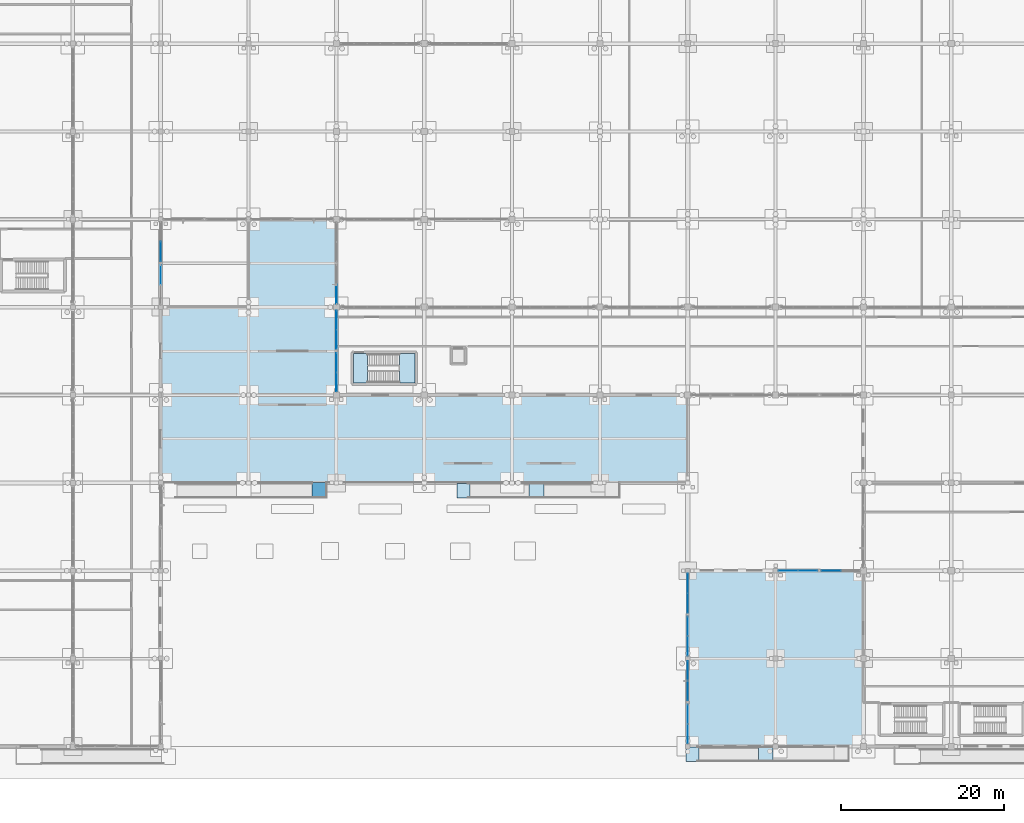
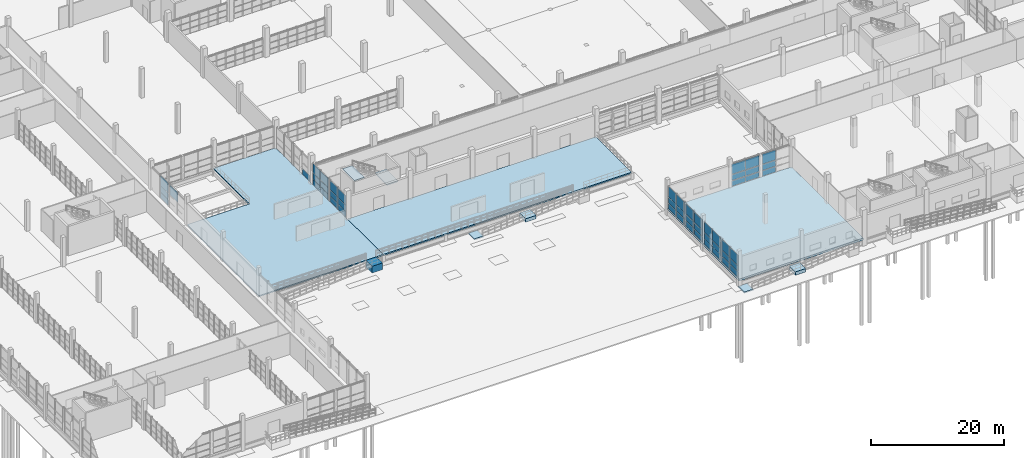
# One storey, part 84 of 138: 50 plates, 10 slabs, 15 elements without a shape of their own.
"""IFC4 building model written with IfcOpenShell, lengths in metres."""

from ifc_helpers import new_model, si_unit, direction, frame, origin, origin_2d, place, context, subcontext, project, spatial, polyline, rectangle, outline, extrude, material, layer, layer_set, type_object, element, aggregate, save


model = new_model("IFC4")

# Units and contexts
model_context = context("Model", 3, precision=1e-05, world=origin(), true_north=direction((0.0, 1.0)))
body_context = subcontext(model_context, "Body", "Model", "MODEL_VIEW")
ifc_project = project(units=[si_unit("LENGTHUNIT", "METRE"), si_unit("AREAUNIT", "SQUARE_METRE"), si_unit("VOLUMEUNIT", "CUBIC_METRE"), si_unit("PLANEANGLEUNIT", "RADIAN"), si_unit("MASSUNIT", "GRAM", prefix="KILO")], contexts=[model_context])

# Site, building, storey
site_placement = place(None, origin())
site = spatial("IfcSite", under=ifc_project, at=site_placement, CompositionType="ELEMENT")
building_placement = place(site_placement, origin())
building = spatial("IfcBuilding", under=site, at=building_placement, Name="Zwinboog Wholesale Market", CompositionType="ELEMENT")
storey_placement = place(building_placement, origin())
storey = spatial("IfcBuildingStorey", under=building, at=storey_placement, Name="L00", CompositionType="ELEMENT", Elevation=0.0)

# Slabs
ifc_material_1 = material(Name="Precast concrete C45/55", Category="concrete")
ifc_layer_1 = layer(ifc_material_1, 0.3798828125)
ifc_layer_set_1 = layer_set([ifc_layer_1], Name="Precast concrete C45/55")
slab_type_1 = type_object("IfcSlabType", Name="SLT-BS-380", PredefinedType="BASESLAB", material=ifc_layer_set_1)
slab_1_placement = place(storey_placement, frame((0.0, 0.0, -0.3798828125)))
element("IfcSlab", 1, at=slab_1_placement, inside=storey, type_object=slab_type_1, Name="SB-380 (SLB-L00-024)", PredefinedType="BASESLAB", context=body_context, shape_type="SweptSolid", body=[
    extrude(outline(polyline([(108.0, 0.0), (129.60009765625, 0.0), (129.60009765625, 21.60009765625), (108.0, 21.60009765625), (108.0, 0.0)])), origin(), (0.0, 0.0, 1.0), 0.3798828125),
])
ifc_material_2 = material(Name="Concrete C40/50", Category="concrete")
ifc_layer_2 = layer(ifc_material_2, 0.22998046875)
ifc_layer_set_2 = layer_set([ifc_layer_2], Name="Concrete C40/50")
slab_type_2 = type_object("IfcSlabType", Name="SLT-EX-230", PredefinedType="FLOOR", material=ifc_layer_set_2)
slab_2_placement = place(storey_placement, frame((0.0, 0.0, -0.22998046875)))
element("IfcSlab", 2, at=slab_2_placement, inside=storey, type_object=slab_type_2, Name="South Park Promenade Deck West", PredefinedType="FLOOR", context=body_context, shape_type="SweptSolid", body=[
    extrude(outline(polyline([(43.199951171875, 32.39990234375), (64.800048828125, 32.39990234375), (64.800048828125, 64.800048828125), (54.0, 64.800048828125), (54.0, 54.0), (43.199951171875, 54.0), (43.199951171875, 32.39990234375)])), origin(), (0.0, 0.0, 1.0), 0.22998046875),
])
ifc_layer_3 = layer(ifc_material_2, 0.241943359375)
ifc_layer_set_3 = layer_set([ifc_layer_3], Name="Concrete C40/50")
slab_type_3 = type_object("IfcSlabType", Name="SLT-EX-242", PredefinedType="FLOOR", material=ifc_layer_set_3)
slab_3_placement = place(storey_placement, frame((0.0, 0.0, -0.241943359375)))
element("IfcSlab", 3, at=slab_3_placement, inside=storey, type_object=slab_type_3, Name="South Park Promenade Deck South", PredefinedType="FLOOR", context=body_context, shape_type="SweptSolid", body=[
    extrude(outline(polyline([(64.800048828125, 32.39990234375), (108.0, 32.39990234375), (108.0, 43.199951171875), (64.800048828125, 43.199951171875), (64.800048828125, 32.39990234375)])), origin(), (0.0, 0.0, 1.0), 0.241943359375),
])

# Curtain wall, plate
ifc_material_3 = material(Name="Aluminium thermally broken curtain wall", Category="aluminium")
curtain_wall_type_1 = type_object("IfcCurtainWallType", Name="CWT-STALL-18", PredefinedType="USERDEFINED", material=ifc_material_3)
curtain_wall_1_placement = place(storey_placement, origin())
curtain_wall_1 = element("IfcCurtainWall", 4, at=curtain_wall_1_placement, inside=storey, type_object=curtain_wall_type_1, Name="CW-01 (CW-L00-025)", ObjectType="STOREFRONT_GLAZING", PredefinedType="USERDEFINED")
ifc_material_4 = material(Name="Double low-e insulated glazing", Category="glass")
ifc_layer_4 = layer(ifc_material_4, 0.031982421875)
ifc_layer_set_4 = layer_set([ifc_layer_4], Name="Double low-e insulated glazing")
plate_type_1 = type_object("IfcPlateType", Name="CWP-IGU-32", PredefinedType="CURTAIN_PANEL", material=ifc_layer_set_4)
plate_1_placement = place(storey_placement, frame((43.199951171875, 57.95751953125, 2.282470703125), z_axis=(0.0, 0.0, 1.0), x_axis=(0.0, 1.0, 0.0)))
plate_1 = element("IfcPlate", 5, at=plate_1_placement, type_object=plate_type_1, Name="CW-01 panel 2.3", PredefinedType="CURTAIN_PANEL", context=body_context, shape_type="SweptSolid", body=[
    extrude(rectangle(XDim=2.35498046875, YDim=0.031982421875, at=origin_2d()), origin(), (0.0, 0.0, 1.0), 1.8505859375),
])
aggregate(curtain_wall_1, [plate_1])

# Curtain wall, plates
curtain_wall_type_2 = type_object("IfcCurtainWallType", Name="CWT-STALL-20", PredefinedType="USERDEFINED", material=ifc_material_3)
curtain_wall_2_placement = place(storey_placement, origin())
curtain_wall_2 = element("IfcCurtainWall", 6, at=curtain_wall_2_placement, inside=storey, type_object=curtain_wall_type_2, Name="CW-02 (CW-L00-026)", ObjectType="STOREFRONT_GLAZING", PredefinedType="USERDEFINED")
plate_2_placement = place(storey_placement, frame((43.199951171875, 60.84130859375, 0.06005859375), z_axis=(0.0, 0.0, 1.0), x_axis=(0.0, 1.0, 0.0)))
plate_2 = element("IfcPlate", 7, at=plate_2_placement, type_object=plate_type_1, Name="CW-02 panel 1.1", PredefinedType="CURTAIN_PANEL", context=body_context, shape_type="SweptSolid", body=[
    extrude(rectangle(XDim=2.362548828125, YDim=0.031982421875, at=origin_2d()), origin(), (0.0, 0.0, 1.0), 1.010009765625),
])
plate_3_placement = place(storey_placement, frame((43.199951171875, 60.84130859375, 1.1298828125), z_axis=(0.0, 0.0, 1.0), x_axis=(0.0, 1.0, 0.0)))
plate_3 = element("IfcPlate", 8, at=plate_3_placement, type_object=plate_type_1, Name="CW-02 panel 1.2", PredefinedType="CURTAIN_PANEL", context=body_context, shape_type="SweptSolid", body=[
    extrude(rectangle(XDim=2.362548828125, YDim=0.031982421875, at=origin_2d()), origin(), (0.0, 0.0, 1.0), 1.090087890625),
])
plate_4_placement = place(storey_placement, frame((43.199951171875, 60.84130859375, 2.280029296875), z_axis=(0.0, 0.0, 1.0), x_axis=(0.0, 1.0, 0.0)))
plate_4 = element("IfcPlate", 9, at=plate_4_placement, type_object=plate_type_1, Name="CW-02 panel 1.3", PredefinedType="CURTAIN_PANEL", context=body_context, shape_type="SweptSolid", body=[
    extrude(rectangle(XDim=2.362548828125, YDim=0.031982421875, at=origin_2d()), origin(), (0.0, 0.0, 1.0), 1.85791015625),
])
aggregate(curtain_wall_2, [plate_2, plate_3, plate_4])

curtain_wall_type_3 = type_object("IfcCurtainWallType", Name="CWT-CAFE-22", PredefinedType="USERDEFINED", material=ifc_material_3)
curtain_wall_3_placement = place(storey_placement, origin())
curtain_wall_3 = element("IfcCurtainWall", 10, at=curtain_wall_3_placement, inside=storey, type_object=curtain_wall_type_3, Name="CW-05 (CW-L00-035)", ObjectType="STOREFRONT_GLAZING", PredefinedType="USERDEFINED")
plate_5_placement = place(storey_placement, frame((108.0, 1.53759765625, 0.06494140625), z_axis=(0.0, 0.0, 1.0), x_axis=(0.0, 1.0, 0.0)))
plate_5 = element("IfcPlate", 11, at=plate_5_placement, type_object=plate_type_1, Name="CW-05 panel 1.1", PredefinedType="CURTAIN_PANEL", context=body_context, shape_type="SweptSolid", body=[
    extrude(rectangle(XDim=2.35498046875, YDim=0.031982421875, at=origin_2d()), origin(), (0.0, 0.0, 1.0), 1.00244140625),
])
plate_6_placement = place(storey_placement, frame((108.0, 1.53759765625, 1.132568359375), z_axis=(0.0, 0.0, 1.0), x_axis=(0.0, 1.0, 0.0)))
plate_6 = element("IfcPlate", 12, at=plate_6_placement, type_object=plate_type_1, Name="CW-05 panel 1.2", PredefinedType="CURTAIN_PANEL", context=body_context, shape_type="SweptSolid", body=[
    extrude(rectangle(XDim=2.35498046875, YDim=0.031982421875, at=origin_2d()), origin(), (0.0, 0.0, 1.0), 1.0849609375),
])
plate_7_placement = place(storey_placement, frame((108.0, 1.53759765625, 2.2822265625), z_axis=(0.0, 0.0, 1.0), x_axis=(0.0, 1.0, 0.0)))
plate_7 = element("IfcPlate", 13, at=plate_7_placement, type_object=plate_type_1, Name="CW-05 panel 1.3", PredefinedType="CURTAIN_PANEL", context=body_context, shape_type="SweptSolid", body=[
    extrude(rectangle(XDim=2.35498046875, YDim=0.031982421875, at=origin_2d()), origin(), (0.0, 0.0, 1.0), 1.902587890625),
])
plate_8_placement = place(storey_placement, frame((108.0, 3.95751953125, 0.06494140625), z_axis=(0.0, 0.0, 1.0), x_axis=(0.0, 1.0, 0.0)))
plate_8 = element("IfcPlate", 14, at=plate_8_placement, type_object=plate_type_1, Name="CW-05 panel 2.1", PredefinedType="CURTAIN_PANEL", context=body_context, shape_type="SweptSolid", body=[
    extrude(rectangle(XDim=2.35498046875, YDim=0.031982421875, at=origin_2d()), origin(), (0.0, 0.0, 1.0), 1.00244140625),
])
plate_9_placement = place(storey_placement, frame((108.0, 3.95751953125, 1.132568359375), z_axis=(0.0, 0.0, 1.0), x_axis=(0.0, 1.0, 0.0)))
plate_9 = element("IfcPlate", 15, at=plate_9_placement, type_object=plate_type_1, Name="CW-05 panel 2.2", PredefinedType="CURTAIN_PANEL", context=body_context, shape_type="SweptSolid", body=[
    extrude(rectangle(XDim=2.35498046875, YDim=0.031982421875, at=origin_2d()), origin(), (0.0, 0.0, 1.0), 1.0849609375),
])
plate_10_placement = place(storey_placement, frame((108.0, 3.95751953125, 2.2822265625), z_axis=(0.0, 0.0, 1.0), x_axis=(0.0, 1.0, 0.0)))
plate_10 = element("IfcPlate", 16, at=plate_10_placement, type_object=plate_type_1, Name="CW-05 panel 2.3", PredefinedType="CURTAIN_PANEL", context=body_context, shape_type="SweptSolid", body=[
    extrude(rectangle(XDim=2.35498046875, YDim=0.031982421875, at=origin_2d()), origin(), (0.0, 0.0, 1.0), 1.902587890625),
])
aggregate(curtain_wall_3, [plate_5, plate_6, plate_7, plate_8, plate_9, plate_10])

curtain_wall_type_4 = type_object("IfcCurtainWallType", Name="CWT-OFF-15", PredefinedType="USERDEFINED", material=ifc_material_3)
curtain_wall_4_placement = place(storey_placement, origin())
curtain_wall_4 = element("IfcCurtainWall", 17, at=curtain_wall_4_placement, inside=storey, type_object=curtain_wall_type_4, Name="CW-06 (CW-L00-036)", ObjectType="UNITIZED_CURTAIN_WALL", PredefinedType="USERDEFINED")
plate_11_placement = place(storey_placement, frame((108.0, 6.84130859375, 0.06005859375), z_axis=(0.0, 0.0, 1.0), x_axis=(0.0, 1.0, 0.0)))
plate_11 = element("IfcPlate", 18, at=plate_11_placement, type_object=plate_type_1, Name="CW-06 panel 1.1", PredefinedType="CURTAIN_PANEL", context=body_context, shape_type="SweptSolid", body=[
    extrude(rectangle(XDim=2.362548828125, YDim=0.031982421875, at=origin_2d()), origin(), (0.0, 0.0, 1.0), 1.010009765625),
])
plate_12_placement = place(storey_placement, frame((108.0, 6.84130859375, 1.1298828125), z_axis=(0.0, 0.0, 1.0), x_axis=(0.0, 1.0, 0.0)))
plate_12 = element("IfcPlate", 19, at=plate_12_placement, type_object=plate_type_1, Name="CW-06 panel 1.2", PredefinedType="CURTAIN_PANEL", context=body_context, shape_type="SweptSolid", body=[
    extrude(rectangle(XDim=2.362548828125, YDim=0.031982421875, at=origin_2d()), origin(), (0.0, 0.0, 1.0), 1.090087890625),
])
plate_13_placement = place(storey_placement, frame((108.0, 6.84130859375, 2.2802734375), z_axis=(0.0, 0.0, 1.0), x_axis=(0.0, 1.0, 0.0)))
plate_13 = element("IfcPlate", 20, at=plate_13_placement, type_object=plate_type_1, Name="CW-06 panel 1.3", PredefinedType="CURTAIN_PANEL", context=body_context, shape_type="SweptSolid", body=[
    extrude(rectangle(XDim=2.362548828125, YDim=0.031982421875, at=origin_2d()), origin(), (0.0, 0.0, 1.0), 1.909912109375),
])
plate_14_placement = place(storey_placement, frame((108.0, 9.263671875, 0.06005859375), z_axis=(0.0, 0.0, 1.0), x_axis=(0.0, 1.0, 0.0)))
plate_14 = element("IfcPlate", 21, at=plate_14_placement, type_object=plate_type_1, Name="CW-06 panel 2.1", PredefinedType="CURTAIN_PANEL", context=body_context, shape_type="SweptSolid", body=[
    extrude(rectangle(XDim=2.362548828125, YDim=0.031982421875, at=origin_2d()), origin(), (0.0, 0.0, 1.0), 1.010009765625),
])
plate_15_placement = place(storey_placement, frame((108.0, 9.263671875, 1.1298828125), z_axis=(0.0, 0.0, 1.0), x_axis=(0.0, 1.0, 0.0)))
plate_15 = element("IfcPlate", 22, at=plate_15_placement, type_object=plate_type_1, Name="CW-06 panel 2.2", PredefinedType="CURTAIN_PANEL", context=body_context, shape_type="SweptSolid", body=[
    extrude(rectangle(XDim=2.362548828125, YDim=0.031982421875, at=origin_2d()), origin(), (0.0, 0.0, 1.0), 1.090087890625),
])
plate_16_placement = place(storey_placement, frame((108.0, 9.263671875, 2.2802734375), z_axis=(0.0, 0.0, 1.0), x_axis=(0.0, 1.0, 0.0)))
plate_16 = element("IfcPlate", 23, at=plate_16_placement, type_object=plate_type_1, Name="CW-06 panel 2.3", PredefinedType="CURTAIN_PANEL", context=body_context, shape_type="SweptSolid", body=[
    extrude(rectangle(XDim=2.362548828125, YDim=0.031982421875, at=origin_2d()), origin(), (0.0, 0.0, 1.0), 1.909912109375),
])
aggregate(curtain_wall_4, [plate_11, plate_12, plate_13, plate_14, plate_15, plate_16])

curtain_wall_5_placement = place(storey_placement, origin())
curtain_wall_5 = element("IfcCurtainWall", 24, at=curtain_wall_5_placement, inside=storey, type_object=curtain_wall_type_1, Name="CW-01 (CW-L00-037)", ObjectType="STOREFRONT_GLAZING", PredefinedType="USERDEFINED")
plate_17_placement = place(storey_placement, frame((108.0, 12.33740234375, 0.06494140625), z_axis=(0.0, 0.0, 1.0), x_axis=(0.0, 1.0, 0.0)))
plate_17 = element("IfcPlate", 25, at=plate_17_placement, type_object=plate_type_1, Name="CW-01 panel 1.1", PredefinedType="CURTAIN_PANEL", context=body_context, shape_type="SweptSolid", body=[
    extrude(rectangle(XDim=2.35498046875, YDim=0.031982421875, at=origin_2d()), origin(), (0.0, 0.0, 1.0), 1.00244140625),
])
plate_18_placement = place(storey_placement, frame((108.0, 12.33740234375, 1.132568359375), z_axis=(0.0, 0.0, 1.0), x_axis=(0.0, 1.0, 0.0)))
plate_18 = element("IfcPlate", 26, at=plate_18_placement, type_object=plate_type_1, Name="CW-01 panel 1.2", PredefinedType="CURTAIN_PANEL", context=body_context, shape_type="SweptSolid", body=[
    extrude(rectangle(XDim=2.35498046875, YDim=0.031982421875, at=origin_2d()), origin(), (0.0, 0.0, 1.0), 1.0849609375),
])
plate_19_placement = place(storey_placement, frame((108.0, 12.33740234375, 2.2822265625), z_axis=(0.0, 0.0, 1.0), x_axis=(0.0, 1.0, 0.0)))
plate_19 = element("IfcPlate", 27, at=plate_19_placement, type_object=plate_type_1, Name="CW-01 panel 1.3", PredefinedType="CURTAIN_PANEL", context=body_context, shape_type="SweptSolid", body=[
    extrude(rectangle(XDim=2.35498046875, YDim=0.031982421875, at=origin_2d()), origin(), (0.0, 0.0, 1.0), 1.902587890625),
])
plate_20_placement = place(storey_placement, frame((108.0, 14.757568359375, 0.06494140625), z_axis=(0.0, 0.0, 1.0), x_axis=(0.0, 1.0, 0.0)))
plate_20 = element("IfcPlate", 28, at=plate_20_placement, type_object=plate_type_1, Name="CW-01 panel 2.1", PredefinedType="CURTAIN_PANEL", context=body_context, shape_type="SweptSolid", body=[
    extrude(rectangle(XDim=2.35498046875, YDim=0.031982421875, at=origin_2d()), origin(), (0.0, 0.0, 1.0), 1.00244140625),
])
plate_21_placement = place(storey_placement, frame((108.0, 14.757568359375, 1.132568359375), z_axis=(0.0, 0.0, 1.0), x_axis=(0.0, 1.0, 0.0)))
plate_21 = element("IfcPlate", 29, at=plate_21_placement, type_object=plate_type_1, Name="CW-01 panel 2.2", PredefinedType="CURTAIN_PANEL", context=body_context, shape_type="SweptSolid", body=[
    extrude(rectangle(XDim=2.35498046875, YDim=0.031982421875, at=origin_2d()), origin(), (0.0, 0.0, 1.0), 1.0849609375),
])
plate_22_placement = place(storey_placement, frame((108.0, 14.757568359375, 2.2822265625), z_axis=(0.0, 0.0, 1.0), x_axis=(0.0, 1.0, 0.0)))
plate_22 = element("IfcPlate", 30, at=plate_22_placement, type_object=plate_type_1, Name="CW-01 panel 2.3", PredefinedType="CURTAIN_PANEL", context=body_context, shape_type="SweptSolid", body=[
    extrude(rectangle(XDim=2.35498046875, YDim=0.031982421875, at=origin_2d()), origin(), (0.0, 0.0, 1.0), 1.902587890625),
])
aggregate(curtain_wall_5, [plate_17, plate_18, plate_19, plate_20, plate_21, plate_22])

curtain_wall_6_placement = place(storey_placement, origin())
curtain_wall_6 = element("IfcCurtainWall", 31, at=curtain_wall_6_placement, inside=storey, type_object=curtain_wall_type_2, Name="CW-02 (CW-L00-038)", ObjectType="STOREFRONT_GLAZING", PredefinedType="USERDEFINED")
plate_23_placement = place(storey_placement, frame((108.0, 17.641357421875, 0.06005859375), z_axis=(0.0, 0.0, 1.0), x_axis=(0.0, 1.0, 0.0)))
plate_23 = element("IfcPlate", 32, at=plate_23_placement, type_object=plate_type_1, Name="CW-02 panel 1.1", PredefinedType="CURTAIN_PANEL", context=body_context, shape_type="SweptSolid", body=[
    extrude(rectangle(XDim=2.362548828125, YDim=0.031982421875, at=origin_2d()), origin(), (0.0, 0.0, 1.0), 1.010009765625),
])
plate_24_placement = place(storey_placement, frame((108.0, 17.641357421875, 1.1298828125), z_axis=(0.0, 0.0, 1.0), x_axis=(0.0, 1.0, 0.0)))
plate_24 = element("IfcPlate", 33, at=plate_24_placement, type_object=plate_type_1, Name="CW-02 panel 1.2", PredefinedType="CURTAIN_PANEL", context=body_context, shape_type="SweptSolid", body=[
    extrude(rectangle(XDim=2.362548828125, YDim=0.031982421875, at=origin_2d()), origin(), (0.0, 0.0, 1.0), 1.090087890625),
])
plate_25_placement = place(storey_placement, frame((108.0, 17.641357421875, 2.2802734375), z_axis=(0.0, 0.0, 1.0), x_axis=(0.0, 1.0, 0.0)))
plate_25 = element("IfcPlate", 34, at=plate_25_placement, type_object=plate_type_1, Name="CW-02 panel 1.3", PredefinedType="CURTAIN_PANEL", context=body_context, shape_type="SweptSolid", body=[
    extrude(rectangle(XDim=2.362548828125, YDim=0.031982421875, at=origin_2d()), origin(), (0.0, 0.0, 1.0), 1.909912109375),
])
plate_26_placement = place(storey_placement, frame((108.0, 20.063720703125, 0.06005859375), z_axis=(0.0, 0.0, 1.0), x_axis=(0.0, 1.0, 0.0)))
plate_26 = element("IfcPlate", 35, at=plate_26_placement, type_object=plate_type_1, Name="CW-02 panel 2.1", PredefinedType="CURTAIN_PANEL", context=body_context, shape_type="SweptSolid", body=[
    extrude(rectangle(XDim=2.362548828125, YDim=0.031982421875, at=origin_2d()), origin(), (0.0, 0.0, 1.0), 1.010009765625),
])
plate_27_placement = place(storey_placement, frame((108.0, 20.063720703125, 1.1298828125), z_axis=(0.0, 0.0, 1.0), x_axis=(0.0, 1.0, 0.0)))
plate_27 = element("IfcPlate", 36, at=plate_27_placement, type_object=plate_type_1, Name="CW-02 panel 2.2", PredefinedType="CURTAIN_PANEL", context=body_context, shape_type="SweptSolid", body=[
    extrude(rectangle(XDim=2.362548828125, YDim=0.031982421875, at=origin_2d()), origin(), (0.0, 0.0, 1.0), 1.090087890625),
])
plate_28_placement = place(storey_placement, frame((108.0, 20.063720703125, 2.2802734375), z_axis=(0.0, 0.0, 1.0), x_axis=(0.0, 1.0, 0.0)))
plate_28 = element("IfcPlate", 37, at=plate_28_placement, type_object=plate_type_1, Name="CW-02 panel 2.3", PredefinedType="CURTAIN_PANEL", context=body_context, shape_type="SweptSolid", body=[
    extrude(rectangle(XDim=2.362548828125, YDim=0.031982421875, at=origin_2d()), origin(), (0.0, 0.0, 1.0), 1.909912109375),
])
aggregate(curtain_wall_6, [plate_23, plate_24, plate_25, plate_26, plate_27, plate_28])

curtain_wall_7_placement = place(storey_placement, origin())
curtain_wall_7 = element("IfcCurtainWall", 38, at=curtain_wall_7_placement, inside=storey, type_object=curtain_wall_type_3, Name="CW-05 (CW-L00-041)", ObjectType="STOREFRONT_GLAZING", PredefinedType="USERDEFINED")
plate_29_placement = place(storey_placement, frame((120.33740234375, 21.60009765625, 0.06494140625), z_axis=(0.0, 0.0, 1.0), x_axis=(1.0, 0.0, 0.0)))
plate_29 = element("IfcPlate", 39, at=plate_29_placement, type_object=plate_type_1, Name="CW-05 panel 1.1", PredefinedType="CURTAIN_PANEL", context=body_context, shape_type="SweptSolid", body=[
    extrude(rectangle(XDim=2.35498046875, YDim=0.031982421875, at=origin_2d()), origin(), (0.0, 0.0, 1.0), 1.00244140625),
])
plate_30_placement = place(storey_placement, frame((120.33740234375, 21.60009765625, 1.132568359375), z_axis=(0.0, 0.0, 1.0), x_axis=(1.0, 0.0, 0.0)))
plate_30 = element("IfcPlate", 40, at=plate_30_placement, type_object=plate_type_1, Name="CW-05 panel 1.2", PredefinedType="CURTAIN_PANEL", context=body_context, shape_type="SweptSolid", body=[
    extrude(rectangle(XDim=2.35498046875, YDim=0.031982421875, at=origin_2d()), origin(), (0.0, 0.0, 1.0), 1.0849609375),
])
plate_31_placement = place(storey_placement, frame((120.33740234375, 21.60009765625, 2.282470703125), z_axis=(0.0, 0.0, 1.0), x_axis=(1.0, 0.0, 0.0)))
plate_31 = element("IfcPlate", 41, at=plate_31_placement, type_object=plate_type_1, Name="CW-05 panel 1.3", PredefinedType="CURTAIN_PANEL", context=body_context, shape_type="SweptSolid", body=[
    extrude(rectangle(XDim=2.35498046875, YDim=0.031982421875, at=origin_2d()), origin(), (0.0, 0.0, 1.0), 1.8505859375),
])
plate_32_placement = place(storey_placement, frame((122.757568359375, 21.60009765625, 0.06494140625), z_axis=(0.0, 0.0, 1.0), x_axis=(1.0, 0.0, 0.0)))
plate_32 = element("IfcPlate", 42, at=plate_32_placement, type_object=plate_type_1, Name="CW-05 panel 2.1", PredefinedType="CURTAIN_PANEL", context=body_context, shape_type="SweptSolid", body=[
    extrude(rectangle(XDim=2.35498046875, YDim=0.031982421875, at=origin_2d()), origin(), (0.0, 0.0, 1.0), 1.00244140625),
])
plate_33_placement = place(storey_placement, frame((122.757568359375, 21.60009765625, 1.132568359375), z_axis=(0.0, 0.0, 1.0), x_axis=(1.0, 0.0, 0.0)))
plate_33 = element("IfcPlate", 43, at=plate_33_placement, type_object=plate_type_1, Name="CW-05 panel 2.2", PredefinedType="CURTAIN_PANEL", context=body_context, shape_type="SweptSolid", body=[
    extrude(rectangle(XDim=2.35498046875, YDim=0.031982421875, at=origin_2d()), origin(), (0.0, 0.0, 1.0), 1.0849609375),
])
plate_34_placement = place(storey_placement, frame((122.757568359375, 21.60009765625, 2.282470703125), z_axis=(0.0, 0.0, 1.0), x_axis=(1.0, 0.0, 0.0)))
plate_34 = element("IfcPlate", 44, at=plate_34_placement, type_object=plate_type_1, Name="CW-05 panel 2.3", PredefinedType="CURTAIN_PANEL", context=body_context, shape_type="SweptSolid", body=[
    extrude(rectangle(XDim=2.35498046875, YDim=0.031982421875, at=origin_2d()), origin(), (0.0, 0.0, 1.0), 1.8505859375),
])
aggregate(curtain_wall_7, [plate_29, plate_30, plate_31, plate_32, plate_33, plate_34])

curtain_wall_8_placement = place(storey_placement, origin())
curtain_wall_8 = element("IfcCurtainWall", 45, at=curtain_wall_8_placement, inside=storey, type_object=curtain_wall_type_4, Name="CW-06 (CW-L00-042)", ObjectType="UNITIZED_CURTAIN_WALL", PredefinedType="USERDEFINED")
plate_35_placement = place(storey_placement, frame((125.62255859375, 21.60009765625, 0.06005859375), z_axis=(0.0, 0.0, 1.0), x_axis=(1.0, 0.0, 0.0)))
plate_35 = element("IfcPlate", 46, at=plate_35_placement, type_object=plate_type_1, Name="CW-06 panel 1.1", PredefinedType="CURTAIN_PANEL", context=body_context, shape_type="SweptSolid", body=[
    extrude(rectangle(XDim=2.324951171875, YDim=0.031982421875, at=origin_2d()), origin(), (0.0, 0.0, 1.0), 1.010009765625),
])
plate_36_placement = place(storey_placement, frame((125.62255859375, 21.60009765625, 1.1298828125), z_axis=(0.0, 0.0, 1.0), x_axis=(1.0, 0.0, 0.0)))
plate_36 = element("IfcPlate", 47, at=plate_36_placement, type_object=plate_type_1, Name="CW-06 panel 1.2", PredefinedType="CURTAIN_PANEL", context=body_context, shape_type="SweptSolid", body=[
    extrude(rectangle(XDim=2.324951171875, YDim=0.031982421875, at=origin_2d()), origin(), (0.0, 0.0, 1.0), 1.090087890625),
])
plate_37_placement = place(storey_placement, frame((125.62255859375, 21.60009765625, 2.280029296875), z_axis=(0.0, 0.0, 1.0), x_axis=(1.0, 0.0, 0.0)))
plate_37 = element("IfcPlate", 48, at=plate_37_placement, type_object=plate_type_1, Name="CW-06 panel 1.3", PredefinedType="CURTAIN_PANEL", context=body_context, shape_type="SweptSolid", body=[
    extrude(rectangle(XDim=2.324951171875, YDim=0.031982421875, at=origin_2d()), origin(), (0.0, 0.0, 1.0), 1.85791015625),
])
aggregate(curtain_wall_8, [plate_35, plate_36, plate_37])

curtain_wall_9_placement = place(storey_placement, origin())
curtain_wall_9 = element("IfcCurtainWall", 49, at=curtain_wall_9_placement, inside=storey, type_object=curtain_wall_type_1, Name="CW-01 (CW-L00-031)", ObjectType="STOREFRONT_GLAZING", PredefinedType="USERDEFINED")
ifc_material_5 = material(Name="Triple solar-control insulated glazing", Category="glass")
ifc_layer_5 = layer(ifc_material_5, 0.0380859375)
ifc_layer_set_5 = layer_set([ifc_layer_5], Name="Triple solar-control insulated glazing")
plate_type_2 = type_object("IfcPlateType", Name="CWP-IGU-38", PredefinedType="CURTAIN_PANEL", material=ifc_layer_set_5)
plate_38_placement = place(storey_placement, frame((64.800048828125, 44.793701171875, 0.06494140625), z_axis=(0.0, 0.0, 1.0), x_axis=(0.0, 1.0, 0.0)))
plate_38 = element("IfcPlate", 50, at=plate_38_placement, type_object=plate_type_2, Name="CW-01 panel 1.1", PredefinedType="CURTAIN_PANEL", context=body_context, shape_type="SweptSolid", body=[
    extrude(rectangle(XDim=2.3173828125, YDim=0.0380859375, at=origin_2d()), origin(), (0.0, 0.0, 1.0), 1.00244140625),
])
plate_39_placement = place(storey_placement, frame((64.800048828125, 44.793701171875, 1.132568359375), z_axis=(0.0, 0.0, 1.0), x_axis=(0.0, 1.0, 0.0)))
plate_39 = element("IfcPlate", 51, at=plate_39_placement, type_object=plate_type_2, Name="CW-01 panel 1.2", PredefinedType="CURTAIN_PANEL", context=body_context, shape_type="SweptSolid", body=[
    extrude(rectangle(XDim=2.3173828125, YDim=0.0380859375, at=origin_2d()), origin(), (0.0, 0.0, 1.0), 1.0849609375),
])
plate_40_placement = place(storey_placement, frame((64.800048828125, 44.793701171875, 2.28271484375), z_axis=(0.0, 0.0, 1.0), x_axis=(0.0, 1.0, 0.0)))
plate_40 = element("IfcPlate", 52, at=plate_40_placement, type_object=plate_type_2, Name="CW-01 panel 1.3", PredefinedType="CURTAIN_PANEL", context=body_context, shape_type="SweptSolid", body=[
    extrude(rectangle(XDim=2.3173828125, YDim=0.0380859375, at=origin_2d()), origin(), (0.0, 0.0, 1.0), 1.677490234375),
])
plate_41_placement = place(storey_placement, frame((64.800048828125, 47.17626953125, 0.06494140625), z_axis=(0.0, 0.0, 1.0), x_axis=(0.0, 1.0, 0.0)))
plate_41 = element("IfcPlate", 53, at=plate_41_placement, type_object=plate_type_2, Name="CW-01 panel 2.1", PredefinedType="CURTAIN_PANEL", context=body_context, shape_type="SweptSolid", body=[
    extrude(rectangle(XDim=2.3173828125, YDim=0.0380859375, at=origin_2d()), origin(), (0.0, 0.0, 1.0), 1.00244140625),
])
plate_42_placement = place(storey_placement, frame((64.800048828125, 47.17626953125, 1.132568359375), z_axis=(0.0, 0.0, 1.0), x_axis=(0.0, 1.0, 0.0)))
plate_42 = element("IfcPlate", 54, at=plate_42_placement, type_object=plate_type_2, Name="CW-01 panel 2.2", PredefinedType="CURTAIN_PANEL", context=body_context, shape_type="SweptSolid", body=[
    extrude(rectangle(XDim=2.3173828125, YDim=0.0380859375, at=origin_2d()), origin(), (0.0, 0.0, 1.0), 1.0849609375),
])
plate_43_placement = place(storey_placement, frame((64.800048828125, 47.17626953125, 2.28271484375), z_axis=(0.0, 0.0, 1.0), x_axis=(0.0, 1.0, 0.0)))
plate_43 = element("IfcPlate", 55, at=plate_43_placement, type_object=plate_type_2, Name="CW-01 panel 2.3", PredefinedType="CURTAIN_PANEL", context=body_context, shape_type="SweptSolid", body=[
    extrude(rectangle(XDim=2.3173828125, YDim=0.0380859375, at=origin_2d()), origin(), (0.0, 0.0, 1.0), 1.677490234375),
])
aggregate(curtain_wall_9, [plate_38, plate_39, plate_40, plate_41, plate_42, plate_43])

curtain_wall_10_placement = place(storey_placement, origin())
curtain_wall_10 = element("IfcCurtainWall", 56, at=curtain_wall_10_placement, inside=storey, type_object=curtain_wall_type_2, Name="CW-02 (CW-L00-032)", ObjectType="STOREFRONT_GLAZING", PredefinedType="USERDEFINED")
plate_44_placement = place(storey_placement, frame((64.800048828125, 50.0224609375, 0.06005859375), z_axis=(0.0, 0.0, 1.0), x_axis=(0.0, 1.0, 0.0)))
plate_44 = element("IfcPlate", 57, at=plate_44_placement, type_object=plate_type_2, Name="CW-02 panel 1.1", PredefinedType="CURTAIN_PANEL", context=body_context, shape_type="SweptSolid", body=[
    extrude(rectangle(XDim=2.324951171875, YDim=0.0380859375, at=origin_2d()), origin(), (0.0, 0.0, 1.0), 1.010009765625),
])
plate_45_placement = place(storey_placement, frame((64.800048828125, 50.0224609375, 1.1298828125), z_axis=(0.0, 0.0, 1.0), x_axis=(0.0, 1.0, 0.0)))
plate_45 = element("IfcPlate", 58, at=plate_45_placement, type_object=plate_type_2, Name="CW-02 panel 1.2", PredefinedType="CURTAIN_PANEL", context=body_context, shape_type="SweptSolid", body=[
    extrude(rectangle(XDim=2.324951171875, YDim=0.0380859375, at=origin_2d()), origin(), (0.0, 0.0, 1.0), 1.090087890625),
])
plate_46_placement = place(storey_placement, frame((64.800048828125, 50.0224609375, 2.280029296875), z_axis=(0.0, 0.0, 1.0), x_axis=(0.0, 1.0, 0.0)))
plate_46 = element("IfcPlate", 59, at=plate_46_placement, type_object=plate_type_2, Name="CW-02 panel 1.3", PredefinedType="CURTAIN_PANEL", context=body_context, shape_type="SweptSolid", body=[
    extrude(rectangle(XDim=2.324951171875, YDim=0.0380859375, at=origin_2d()), origin(), (0.0, 0.0, 1.0), 1.68505859375),
])
plate_47_placement = place(storey_placement, frame((64.800048828125, 52.407470703125, 0.06005859375), z_axis=(0.0, 0.0, 1.0), x_axis=(0.0, 1.0, 0.0)))
plate_47 = element("IfcPlate", 60, at=plate_47_placement, type_object=plate_type_2, Name="CW-02 panel 2.1", PredefinedType="CURTAIN_PANEL", context=body_context, shape_type="SweptSolid", body=[
    extrude(rectangle(XDim=2.324951171875, YDim=0.0380859375, at=origin_2d()), origin(), (0.0, 0.0, 1.0), 1.010009765625),
])
plate_48_placement = place(storey_placement, frame((64.800048828125, 52.407470703125, 1.1298828125), z_axis=(0.0, 0.0, 1.0), x_axis=(0.0, 1.0, 0.0)))
plate_48 = element("IfcPlate", 61, at=plate_48_placement, type_object=plate_type_2, Name="CW-02 panel 2.2", PredefinedType="CURTAIN_PANEL", context=body_context, shape_type="SweptSolid", body=[
    extrude(rectangle(XDim=2.324951171875, YDim=0.0380859375, at=origin_2d()), origin(), (0.0, 0.0, 1.0), 1.090087890625),
])
plate_49_placement = place(storey_placement, frame((64.800048828125, 52.407470703125, 2.280029296875), z_axis=(0.0, 0.0, 1.0), x_axis=(0.0, 1.0, 0.0)))
plate_49 = element("IfcPlate", 62, at=plate_49_placement, type_object=plate_type_2, Name="CW-02 panel 2.3", PredefinedType="CURTAIN_PANEL", context=body_context, shape_type="SweptSolid", body=[
    extrude(rectangle(XDim=2.324951171875, YDim=0.0380859375, at=origin_2d()), origin(), (0.0, 0.0, 1.0), 1.68505859375),
])
aggregate(curtain_wall_10, [plate_44, plate_45, plate_46, plate_47, plate_48, plate_49])

# Curtain wall, plate
curtain_wall_type_5 = type_object("IfcCurtainWallType", Name="CWT-HALL-24", PredefinedType="USERDEFINED", material=ifc_material_3)
curtain_wall_11_placement = place(storey_placement, origin())
curtain_wall_11 = element("IfcCurtainWall", 63, at=curtain_wall_11_placement, inside=storey, type_object=curtain_wall_type_5, Name="CW-03 (CW-L00-033)", ObjectType="UNITIZED_CURTAIN_WALL", PredefinedType="USERDEFINED")
plate_50_placement = place(storey_placement, frame((64.800048828125, 55.59375, 0.06494140625), z_axis=(0.0, 0.0, 1.0), x_axis=(0.0, 1.0, 0.0)))
plate_50 = element("IfcPlate", 64, at=plate_50_placement, type_object=plate_type_2, Name="CW-03 panel 1.1", PredefinedType="CURTAIN_PANEL", context=body_context, shape_type="SweptSolid", body=[
    extrude(rectangle(XDim=2.3173828125, YDim=0.0380859375, at=origin_2d()), origin(), (0.0, 0.0, 1.0), 1.00244140625),
])
aggregate(curtain_wall_11, [plate_50])

# Stair, slabs
stair_type = type_object("IfcStairType", Name="STT-DOG-145", PredefinedType="HALF_TURN_STAIR", material=ifc_material_2)
stair_placement = place(storey_placement, origin())
stair = element("IfcStair", 65, at=stair_placement, inside=storey, type_object=stair_type, Name="Enclosed Escape Stair ST-06", PredefinedType="HALF_TURN_STAIR")
ifc_layer_6 = layer(ifc_material_2, 0.199951171875)
ifc_layer_set_6 = layer_set([ifc_layer_6], Name="Concrete C40/50")
slab_type_4 = type_object("IfcSlabType", Name="SLT-LND-200", PredefinedType="LANDING", material=ifc_layer_set_6)
slab_4_placement = place(storey_placement, frame((0.0, 0.0, 2.5)))
slab_4 = element("IfcSlab", 66, at=slab_4_placement, type_object=slab_type_4, Name="ST-06 landing 1", PredefinedType="LANDING", context=body_context, shape_type="SweptSolid", body=[
    extrude(outline(polyline([(72.5400390625, 44.705078125), (74.4951171875, 44.705078125), (74.4951171875, 48.294921875), (72.5400390625, 48.294921875), (72.5400390625, 44.705078125)])), origin(), (0.0, 0.0, 1.0), 0.199951171875),
])
slab_5_placement = place(storey_placement, frame((0.0, 0.0, 5.199951171875)))
slab_5 = element("IfcSlab", 67, at=slab_5_placement, type_object=slab_type_4, Name="ST-06 landing 2", PredefinedType="LANDING", context=body_context, shape_type="SweptSolid", body=[
    extrude(outline(polyline([(66.905029296875, 44.705078125), (68.6201171875, 44.705078125), (68.6201171875, 48.294921875), (66.905029296875, 48.294921875), (66.905029296875, 44.705078125)])), origin(), (0.0, 0.0, 1.0), 0.199951171875),
])
aggregate(stair, [slab_4, slab_5])

# Ramp, slab
ramp_type = type_object("IfcRampType", Name="RMPT-PLINTH", PredefinedType="HALF_TURN_RAMP", material=ifc_material_2)
ramp_1_placement = place(storey_placement, origin())
ramp_1 = element("IfcRamp", 68, at=ramp_1_placement, inside=storey, type_object=ramp_type, Name="South Park West Accessible Ramp", PredefinedType="HALF_TURN_RAMP")
ifc_layer_7 = layer(ifc_material_2, 0.219970703125)
ifc_layer_set_7 = layer_set([ifc_layer_7], Name="Concrete C40/50")
slab_type_5 = type_object("IfcSlabType", Name="SLT-LND-220", PredefinedType="LANDING", material=ifc_layer_set_7)
slab_6_placement = place(storey_placement, frame((0.0, 0.0, -1.25)))
slab_6 = element("IfcSlab", 69, at=slab_6_placement, type_object=slab_type_5, Name="RMP-01-L2 (RMP-01-LTOP)", PredefinedType="LANDING", context=body_context, shape_type="SweptSolid", body=[
    extrude(outline(polyline([(61.800048828125, 30.550048828125), (63.60009765625, 30.550048828125), (63.60009765625, 32.419921875), (61.800048828125, 32.419921875), (61.800048828125, 30.550048828125)])), origin(), (0.0, 0.0, 1.0), 1.25),
])
aggregate(ramp_1, [slab_6])

# Ramp, slabs
ramp_2_placement = place(storey_placement, origin())
ramp_2 = element("IfcRamp", 70, at=ramp_2_placement, inside=storey, type_object=ramp_type, Name="South Park Central Accessible Ramp", PredefinedType="HALF_TURN_RAMP")
slab_7_placement = place(storey_placement, frame((0.0, 0.0, -1.419921875)))
slab_7 = element("IfcSlab", 71, at=slab_7_placement, type_object=slab_type_5, Name="RMP-02-L0 (RMP-02-LTOE)", PredefinedType="LANDING", context=body_context, shape_type="SweptSolid", body=[
    extrude(outline(polyline([(79.60009765625, 30.550048828125), (81.199951171875, 30.550048828125), (81.199951171875, 32.35009765625), (79.60009765625, 32.35009765625), (79.60009765625, 30.550048828125)])), origin(), (0.0, 0.0, 1.0), 0.219970703125),
])
slab_8_placement = place(storey_placement, frame((0.0, 0.0, -1.25)))
slab_8 = element("IfcSlab", 72, at=slab_8_placement, type_object=slab_type_5, Name="RMP-02-L1 (RMP-02-LMID)", PredefinedType="LANDING", context=body_context, shape_type="SweptSolid", body=[
    extrude(outline(polyline([(88.5, 30.550048828125), (90.300048828125, 30.550048828125), (90.300048828125, 32.35009765625), (88.5, 32.35009765625), (88.5, 30.550048828125)])), origin(), (0.0, 0.0, 1.0), 0.64990234375),
])
aggregate(ramp_2, [slab_7, slab_8])

ramp_3_placement = place(storey_placement, origin())
ramp_3 = element("IfcRamp", 73, at=ramp_3_placement, inside=storey, type_object=ramp_type, Name="Park Cafe South Accessible Ramp", PredefinedType="HALF_TURN_RAMP")
slab_9_placement = place(storey_placement, frame((0.0, 0.0, -1.419921875)))
slab_9 = element("IfcSlab", 74, at=slab_9_placement, type_object=slab_type_5, Name="RMP-03-L0 (RMP-03-LTOE)", PredefinedType="LANDING", context=body_context, shape_type="SweptSolid", body=[
    extrude(outline(polyline([(107.800048828125, -1.85009765625), (109.39990234375, -1.85009765625), (109.39990234375, -0.050048828125), (107.800048828125, -0.050048828125), (107.800048828125, -1.85009765625)])), origin(), (0.0, 0.0, 1.0), 0.219970703125),
])
slab_10_placement = place(storey_placement, frame((0.0, 0.0, -1.25)))
slab_10 = element("IfcSlab", 75, at=slab_10_placement, type_object=slab_type_5, Name="RMP-03-L1 (RMP-03-LMID)", PredefinedType="LANDING", context=body_context, shape_type="SweptSolid", body=[
    extrude(outline(polyline([(116.699951171875, -1.85009765625), (118.5, -1.85009765625), (118.5, -0.050048828125), (116.699951171875, -0.050048828125), (116.699951171875, -1.85009765625)])), origin(), (0.0, 0.0, 1.0), 0.64990234375),
])
aggregate(ramp_3, [slab_9, slab_10])

save(model, "model.ifc")
